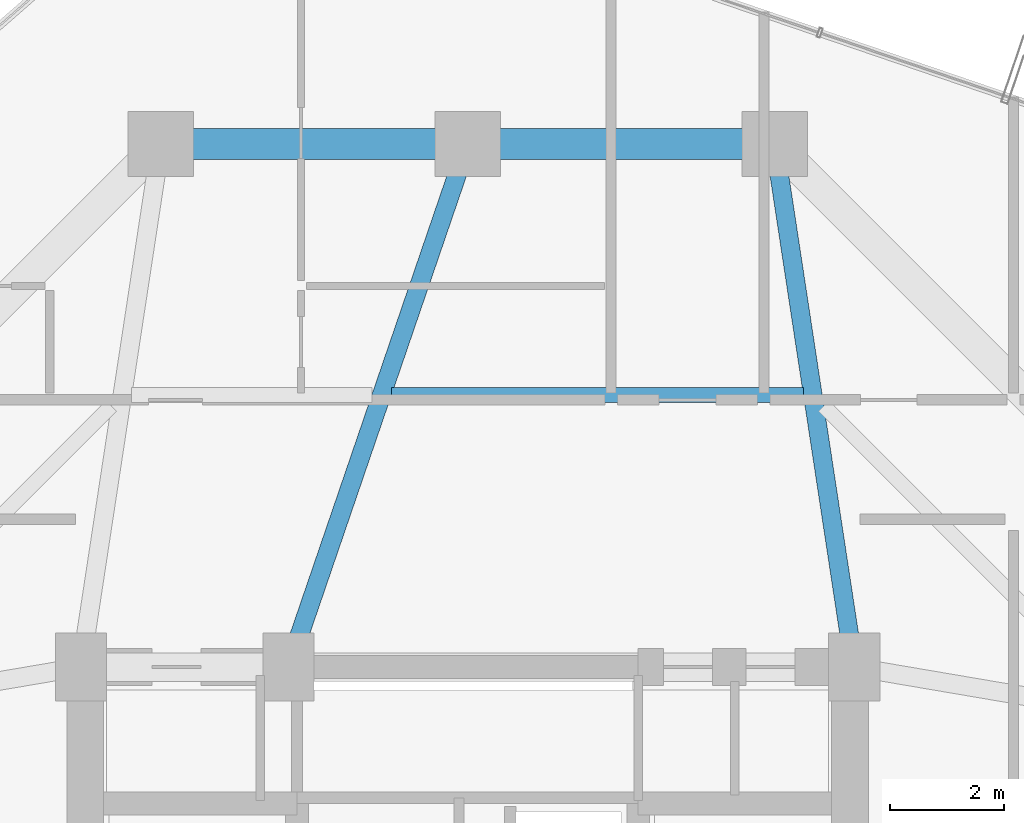
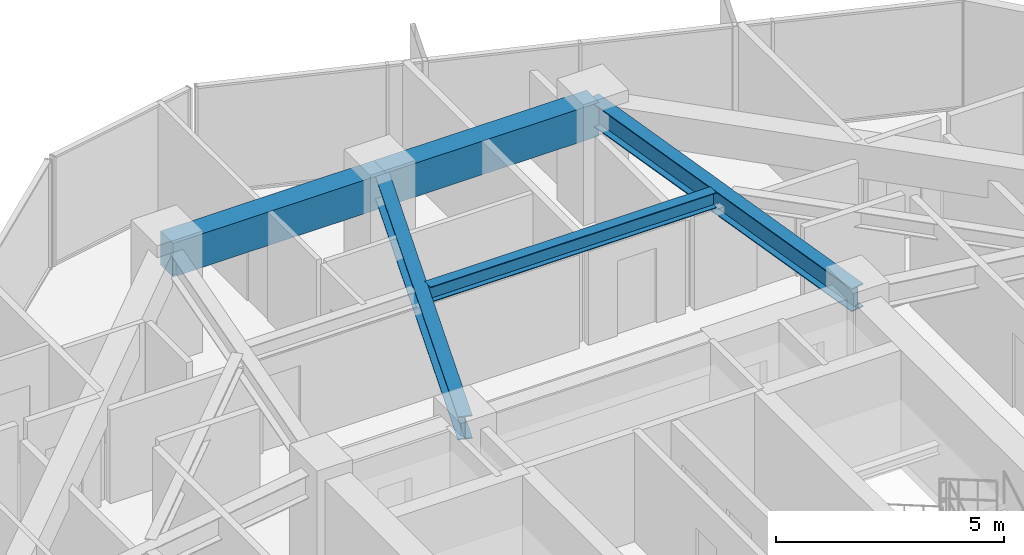
# One storey, part 24 of 36: 5 beams.
"""IFC4 building model written with IfcOpenShell, lengths in metres."""

import ifcopenshell
import ifcopenshell.guid

model = None  # the IFC model being written
_history = None  # IfcOwnerHistory: only IFC2X3 demands one
_inside = {}  # id of a spatial element -> (the spatial element, [elements in it])
_under = {}  # id of a project, library or spatial element -> (it, [spatial elements below it])
_declared = {}  # id of a project -> (the project, [libraries it declares])
_typed = {}  # id of a type object -> (the type object, [elements of that type])
_made_of = {}  # id of a material, layer set ... -> (it, [elements and type objects made of it])


def new_model(schema):
    """Start an empty IFC model of exactly this schema.

    Asked for "IFC4X3", IfcOpenShell would pick the latest addendum, in which some entities
    have other attributes; the version numbers below select the first issue.
    IFC2X3 requires an IfcOwnerHistory on every rooted entity: one is made here for all.
    """
    global model, _history
    if schema == "IFC4X3":
        model = ifcopenshell.file(schema_version=(4, 3, 0, 0))
    else:
        model = ifcopenshell.file(schema=schema)
    _inside.clear()
    _under.clear()
    _declared.clear()
    _typed.clear()
    _made_of.clear()
    _history = None
    if model.schema == "IFC2X3":
        org = make("IfcOrganization", Name="unknown")
        user = make(
            "IfcPersonAndOrganization",
            ThePerson=make("IfcPerson", FamilyName="unknown"),
            TheOrganization=org,
        )
        app = make(
            "IfcApplication",
            ApplicationDeveloper=org,
            Version="unknown",
            ApplicationFullName="unknown",
            ApplicationIdentifier="unknown",
        )
        _history = make(
            "IfcOwnerHistory",
            OwningUser=user,
            OwningApplication=app,
            ChangeAction="ADDED",
            CreationDate=0,
        )
    return model


def make(cls, **values):
    """One entity of the class cls with the attributes given. An attribute that is None is left unset."""
    return model.create_entity(
        cls, **{name: value for name, value in values.items() if value is not None}
    )


def rooted(cls, **values):
    """An entity with a GlobalId (a new one), such as an element, a storey or a relation."""
    return make(cls, GlobalId=ifcopenshell.guid.new(), OwnerHistory=_history, **values)


def si_unit(unit_type, name, prefix=None):
    """IfcSIUnit, for example si_unit("LENGTHUNIT", "METRE", prefix="MILLI")."""
    return make("IfcSIUnit", UnitType=unit_type, Prefix=prefix, Name=name)


def assignment(units):
    """IfcUnitAssignment: the units of a project."""
    return None if units is None else make("IfcUnitAssignment", Units=units)


def point(xyz):
    """IfcCartesianPoint."""
    return None if xyz is None else make("IfcCartesianPoint", Coordinates=xyz)


def direction(xyz):
    """IfcDirection."""
    return None if xyz is None else make("IfcDirection", DirectionRatios=xyz)


def frame(location, z_axis=None, x_axis=None):
    """IfcAxis2Placement3D, a coordinate frame: its origin and axes. An axis left out is left unset."""
    return make(
        "IfcAxis2Placement3D",
        Location=point(location),
        Axis=direction(z_axis),
        RefDirection=direction(x_axis),
    )


def frame_2d(location, x_axis=None):
    """IfcAxis2Placement2D, a coordinate frame in the plane: its origin and x axis."""
    return make(
        "IfcAxis2Placement2D", Location=point(location), RefDirection=direction(x_axis)
    )


def origin():
    """The frame at (0, 0, 0) with its axes left unset."""
    return frame((0.0, 0.0, 0.0))


def origin_2d():
    """The frame at (0, 0) in the plane with its x axis left unset."""
    return frame_2d((0.0, 0.0))


def place(relative_to, where):
    """IfcLocalPlacement: puts the frame where relative to a parent placement (None: the world)."""
    return make(
        "IfcLocalPlacement", PlacementRelTo=relative_to, RelativePlacement=where
    )


def context(
    kind, dimensions, precision=None, world=None, true_north=None, identifier=None
):
    """IfcGeometricRepresentationContext, for example the 3D "Model" context."""
    return make(
        "IfcGeometricRepresentationContext",
        ContextIdentifier=identifier,
        ContextType=kind,
        CoordinateSpaceDimension=dimensions,
        Precision=precision,
        WorldCoordinateSystem=world,
        TrueNorth=true_north,
    )


def subcontext(parent, identifier, kind, view, scale=None):
    """IfcGeometricRepresentationSubContext, for example "Body" below "Model"."""
    return make(
        "IfcGeometricRepresentationSubContext",
        ContextIdentifier=identifier,
        ContextType=kind,
        ParentContext=parent,
        TargetScale=scale,
        TargetView=view,
    )


def project(units=None, contexts=None):
    """IfcProject with its units and contexts."""
    return rooted(
        "IfcProject",
        Name="project",
        RepresentationContexts=contexts,
        UnitsInContext=assignment(units),
    )


def spatial(cls, under=None, at=None, **own):
    """A site, building, storey or space (cls), placed at a placement, below another one or the project."""
    s = rooted(cls, ObjectPlacement=at, **own)
    if under is not None:
        _under.setdefault(under.id(), (under, []))[1].append(s)
    return s


def profile(cls, at=None, kind="AREA", **sizes):
    """A parametric profile (cls). Its sizes go by their IFC names, for example OverallWidth=200.0."""
    return make(cls, ProfileType=kind, Position=at, **sizes)


def rectangle(**sizes):
    """IfcRectangleProfileDef."""
    return profile("IfcRectangleProfileDef", **sizes)


def i_section(**sizes):
    """IfcIShapeProfileDef."""
    return profile("IfcIShapeProfileDef", **sizes)


def extrude(swept, where, along, depth):
    """IfcExtrudedAreaSolid: the profile swept, set in the frame where, extruded along a direction by depth."""
    return make(
        "IfcExtrudedAreaSolid",
        SweptArea=swept,
        Position=where,
        ExtrudedDirection=direction(along),
        Depth=depth,
    )


def shape(context_of_items, identifier, shape_type, items):
    """IfcShapeRepresentation: the items that make up one representation, for example the "Body"."""
    return make(
        "IfcShapeRepresentation",
        ContextOfItems=context_of_items,
        RepresentationIdentifier=identifier,
        RepresentationType=shape_type,
        Items=items,
    )


def material(Name=None, Category=None):
    """IfcMaterial."""
    return make("IfcMaterial", Name=Name, Category=Category)


def material_profile(
    of_material, cross_section, Name=None, Category=None, Priority=None
):
    """IfcMaterialProfile: a cross section and its material."""
    return make(
        "IfcMaterialProfile",
        Name=Name,
        Material=of_material,
        Profile=cross_section,
        Priority=Priority,
        Category=Category,
    )


def profile_set(profiles, Name=None, composite=None):
    """IfcMaterialProfileSet."""
    return make(
        "IfcMaterialProfileSet",
        Name=Name,
        MaterialProfiles=profiles,
        CompositeProfile=composite,
    )


def made_of(thing, what):
    """Note that an element or type object is made of a material, layer set ...; save() writes the relation."""
    if what is not None:
        _made_of.setdefault(what.id(), (what, []))[1].append(thing)
    return thing


def type_object(cls, material=None, **own):
    """A type object (cls), such as IfcWallType, which elements share."""
    return made_of(rooted(cls, **own), material)


def element(
    cls,
    number,
    at=None,
    inside=None,
    cuts=None,
    type_object=None,
    material=None,
    context=None,
    identifier="Body",
    shape_type=None,
    held_by="IfcProductDefinitionShape",
    body=None,
    shapes=None,
    **own,
):
    """One element of the class cls, such as IfcWall. Its Tag is "e" and its number.

    at: its placement. inside: the storey or other place that contains it. cuts: it is an
    opening in that element (IfcRelVoidsElement). A single representation is given by context,
    identifier, shape_type and body (its items); several are given by shapes. held_by: the class
    of the entity that holds the representations. save() writes the other relations.
    """
    e = rooted(cls, Tag="e%d" % number, ObjectPlacement=at, **own)
    if body is not None:
        shapes = [shape(context, identifier, shape_type, body)]
    if shapes is not None:
        e.Representation = make(held_by, Representations=shapes)
    if inside is not None:
        _inside.setdefault(inside.id(), (inside, []))[1].append(e)
    if cuts is not None:
        rooted(
            "IfcRelVoidsElement", RelatingBuildingElement=cuts, RelatedOpeningElement=e
        )
    if type_object is not None:
        _typed.setdefault(type_object.id(), (type_object, []))[1].append(e)
    return made_of(e, material)


def aggregate(whole, parts):
    """IfcRelAggregates: a whole, such as a stair, and the parts it consists of."""
    return rooted("IfcRelAggregates", RelatingObject=whole, RelatedObjects=parts)


def save(model, path):
    """Write the relations noted so far, then the file.

    IfcRelAggregates (storeys below a building ...), IfcRelContainedInSpatialStructure (elements
    in a storey), IfcRelDefinesByType, IfcRelAssociatesMaterial and IfcRelDeclares: one each for
    every whole, place, type object, material and project.
    """
    for whole, parts in _under.values():
        aggregate(whole, parts)
    for where, things in _inside.values():
        rooted(
            "IfcRelContainedInSpatialStructure",
            RelatedElements=things,
            RelatingStructure=where,
        )
    for kind, things in _typed.values():
        rooted("IfcRelDefinesByType", RelatedObjects=things, RelatingType=kind)
    for what, things in _made_of.values():
        rooted("IfcRelAssociatesMaterial", RelatedObjects=things, RelatingMaterial=what)
    for by, libraries in _declared.values():
        rooted("IfcRelDeclares", RelatingContext=by, RelatedDefinitions=libraries)
    model.write(path)


model = new_model("IFC4")

# Units and contexts
model_context = context("Model", 3, precision=1e-05, world=origin(), true_north=direction((0.0, 1.0)))
body_context = subcontext(model_context, "Body", "Model", "MODEL_VIEW")
ifc_project = project(units=[si_unit("LENGTHUNIT", "METRE"), si_unit("AREAUNIT", "SQUARE_METRE"), si_unit("VOLUMEUNIT", "CUBIC_METRE"), si_unit("PLANEANGLEUNIT", "RADIAN"), si_unit("MASSUNIT", "GRAM", prefix="KILO")], contexts=[model_context])

# Site, building, storey
site_placement = place(None, origin())
site = spatial("IfcSite", under=ifc_project, at=site_placement, CompositionType="ELEMENT")
building_placement = place(site_placement, origin())
building = spatial("IfcBuilding", under=site, at=building_placement, Name="Veraguas Prism Commons", CompositionType="ELEMENT")
storey_placement = place(building_placement, frame((0.0, 0.0, 166.300048828125)))
storey = spatial("IfcBuildingStorey", under=building, at=storey_placement, Name="L47", CompositionType="ELEMENT", Elevation=166.300048828125)

# Beams
ifc_material_1 = material(Name="Steel ASTM A992 Grade 50", Category="steel")
ifc_material_profile_1 = material_profile(ifc_material_1, i_section(OverallWidth=0.260986328125, OverallDepth=0.419921875, WebThickness=0.01171875, FlangeThickness=0.019287109375, at=origin_2d()), Name="W410X114")
ifc_profile_set_1 = profile_set([ifc_material_profile_1], Name="Steel ASTM A992 Grade 50")
beam_type_1 = type_object("IfcBeamType", Name="Lower Floor Joist W410x114", PredefinedType="JOIST", material=ifc_profile_set_1)
beam_1_placement = place(storey_placement, frame((29.908203125, 35.783935546875, 2.719970703125), z_axis=(-1.0, 0.0, 0.0), x_axis=(0.0, -1.0, 0.0)))
element("IfcBeam", 1, at=beam_1_placement, inside=storey, type_object=beam_type_1, Name="Composite Floor Joist L47-JS04", PredefinedType="JOIST", context=body_context, shape_type="SweptSolid", body=[
    extrude(i_section(OverallWidth=0.260986328125, OverallDepth=0.419921875, WebThickness=0.01171875, FlangeThickness=0.019287109375, at=origin_2d()), origin(), (0.0, 0.0, 1.0), 7.2490234375),
])
ifc_material_2 = material(Name="Concrete C50/60", Category="concrete")
ifc_material_profile_2 = material_profile(ifc_material_2, rectangle(XDim=0.550048828125, YDim=0.89990234375, at=origin_2d()), Name="RC550X900")
ifc_profile_set_2 = profile_set([ifc_material_profile_2], Name="Concrete C50/60")
beam_type_2 = type_object("IfcBeamType", Name="Perimeter Spandrel Lower RC 550x900", PredefinedType="SPANDREL", material=ifc_profile_set_2)
for number, where, z_axis, x_axis, name in (
    (2, (29.39990234375, 40.199951171875, 2.47998046875), (-1.0, 0.0, 0.0), (0.0, -1.0, 0.0), "Perimeter Spandrel Beam L47-SP04"),
    (3, (24.0, 40.199951171875, 2.47998046875), (-1.0, 0.0, 0.0), (0.0, -1.0, 0.0), "Perimeter Spandrel Beam L47-SP05"),
):
    element("IfcBeam", number, at=place(storey_placement, frame(where, z_axis=z_axis, x_axis=x_axis)), inside=storey, type_object=beam_type_2, Name=name, PredefinedType="SPANDREL", context=body_context, shape_type="SweptSolid", body=[
        extrude(rectangle(XDim=0.550048828125, YDim=0.89990234375, at=origin_2d()), origin(), (0.0, 0.0, 1.0), 5.39990234375),
    ])
ifc_material_profile_3 = material_profile(ifc_material_1, i_section(OverallWidth=0.327880859375, OverallDepth=0.6220703125, WebThickness=0.015380859375, FlangeThickness=0.0244140625, at=origin_2d()), Name="W610X195")
ifc_profile_set_3 = profile_set([ifc_material_profile_3], Name="Steel ASTM A992 Grade 50")
beam_type_3 = type_object("IfcBeamType", Name="Zone 2 Radial Girder W610x195", PredefinedType="BEAM", material=ifc_profile_set_3)
beam_2_placement = place(storey_placement, frame((29.39990234375, 40.199951171875, 2.618896484375), z_axis=(0.150458162136, -0.98861637729, 0.0), x_axis=(0.98861637729, 0.150458162136, 0.0)))
element("IfcBeam", 4, at=beam_2_placement, inside=storey, type_object=beam_type_3, Name="Radial Floor Girder L47-RD04", PredefinedType="BEAM", context=body_context, shape_type="SweptSolid", body=[
    extrude(i_section(OverallWidth=0.327880859375, OverallDepth=0.6220703125, WebThickness=0.015380859375, FlangeThickness=0.0244140625, at=origin_2d()), origin(), (0.0, 0.0, 1.0), 9.305908203125),
])
beam_3_placement = place(storey_placement, frame((24.0, 40.199951171875, 2.618896484375), z_axis=(-0.323922482989, -0.946083624747, 0.0), x_axis=(0.946083624747, -0.323922482989, 0.0)))
element("IfcBeam", 5, at=beam_3_placement, inside=storey, type_object=beam_type_3, Name="Radial Floor Girder L47-RD05", PredefinedType="BEAM", context=body_context, shape_type="SweptSolid", body=[
    extrude(i_section(OverallWidth=0.327880859375, OverallDepth=0.6220703125, WebThickness=0.015380859375, FlangeThickness=0.0244140625, at=origin_2d()), origin(), (0.0, 0.0, 1.0), 9.724365234375),
])

save(model, "model.ifc")
